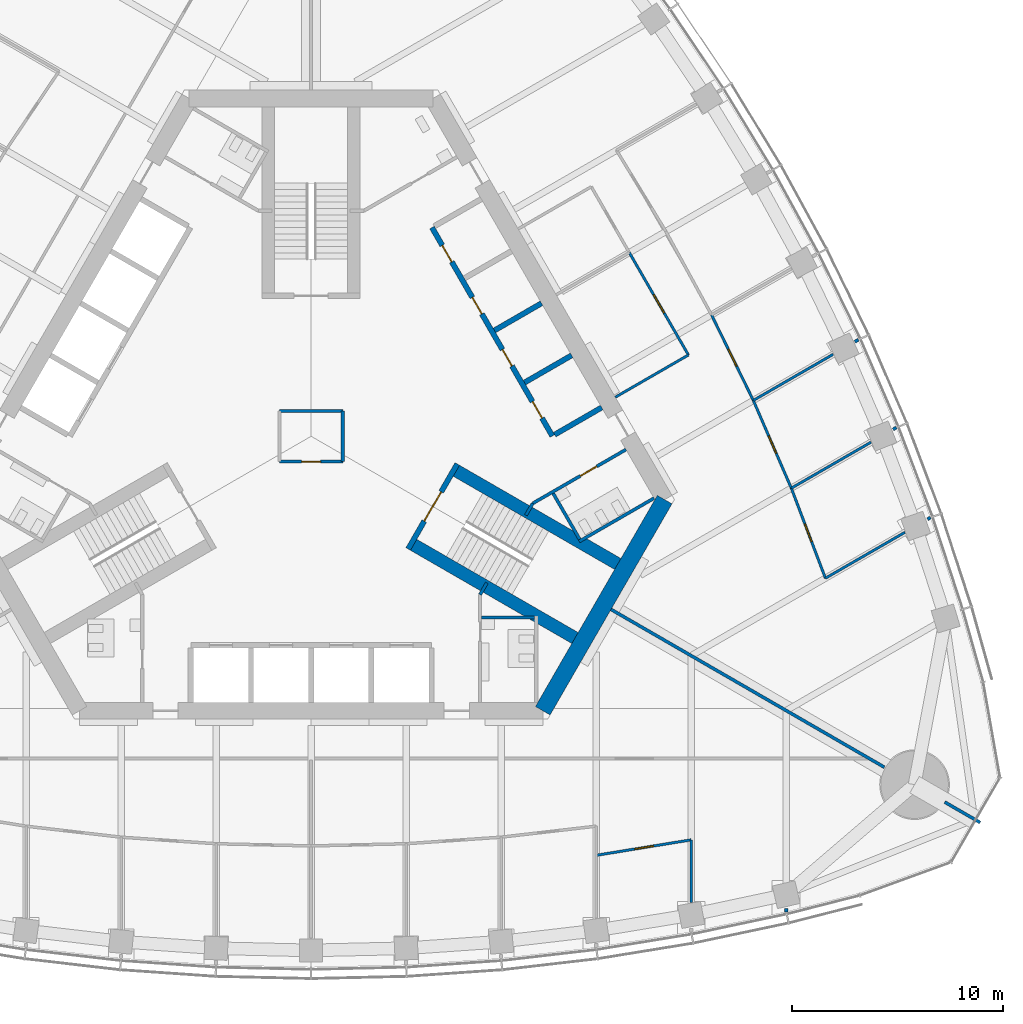
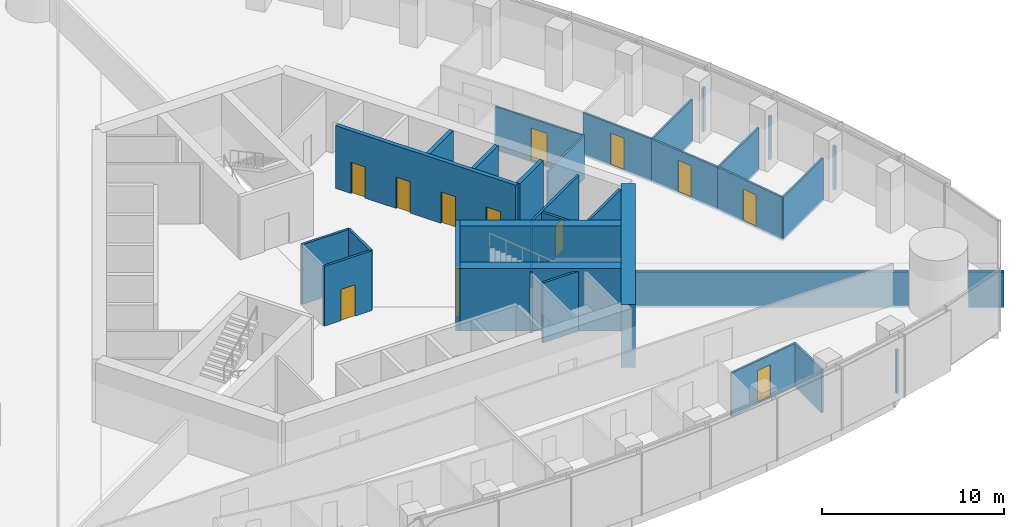
# One storey, part 13 of 20: 33 walls, 12 doors, 12 openings.
"""IFC4 building model written with IfcOpenShell, lengths in metres."""

from ifc_helpers import new_model, si_unit, direction, frame, frame_2d, origin, place, context, subcontext, project, spatial, rectangle, extrude, material, layer, layer_set, type_object, element, fill, save


model = new_model("IFC4")

# Units and contexts
model_context = context("Model", 3, precision=1e-05, world=origin(), true_north=direction((0.0, 1.0)))
body_context = subcontext(model_context, "Body", "Model", "MODEL_VIEW")
ifc_project = project(units=[si_unit("LENGTHUNIT", "METRE"), si_unit("AREAUNIT", "SQUARE_METRE"), si_unit("VOLUMEUNIT", "CUBIC_METRE"), si_unit("PLANEANGLEUNIT", "RADIAN"), si_unit("MASSUNIT", "GRAM", prefix="KILO")], contexts=[model_context])

# Site, building, storey
site_placement = place(None, origin())
site = spatial("IfcSite", under=ifc_project, at=site_placement, CompositionType="ELEMENT")
building_placement = place(site_placement, origin())
building = spatial("IfcBuilding", under=site, at=building_placement, Name="Trefoil Bronze Tower", CompositionType="ELEMENT")
storey_placement = place(building_placement, frame((0.0, 0.0, 214.89990234375)))
storey = spatial("IfcBuildingStorey", under=building, at=storey_placement, Name="L49", CompositionType="ELEMENT", Elevation=214.89990234375)

# Wall
ifc_material_1 = material(Name="Concrete B80", Category="concrete")
ifc_layer_1 = layer(ifc_material_1, 0.800048828125)
ifc_layer_set_1 = layer_set([ifc_layer_1], Name="Core wall 800")
wall_type_1 = type_object("IfcWallType", Name="Core wall 800", PredefinedType="SHEAR", material=ifc_layer_set_1)
wall_1_placement = place(storey_placement, frame((10.9697265625, -13.0, 0.0), z_axis=(0.0, 0.0, 1.0), x_axis=(0.499995765644, 0.866027848477, 0.0)))
element("IfcWall", 1, at=wall_1_placement, inside=storey, type_object=wall_type_1, Name="Core short wall 1 L49", PredefinedType="SHEAR", context=body_context, shape_type="SweptSolid", body=[
    extrude(rectangle(XDim=11.546875, YDim=0.800048828125, at=frame_2d((5.7734375, 0.0))), origin(), (0.0, 0.0, 1.0), 4.2001953125),
])

# Wall, opening, door
ifc_material_2 = material(Name="Glazed partition", Category="glass")
ifc_layer_2 = layer(ifc_material_2, 0.1201171875)
ifc_layer_set_2 = layer_set([ifc_layer_2], Name="Glazed partition 120")
wall_type_2 = type_object("IfcWallType", Name="Glazed partition 120", PredefinedType="PARTITIONING", material=ifc_layer_set_2)
wall_2_placement = place(storey_placement, frame((13.5, -19.84619140625, 0.0), z_axis=(0.0, 0.0, 1.0), x_axis=(0.986986525477, 0.160802980469, 0.0)))
wall_2 = element("IfcWall", 2, at=wall_2_placement, inside=storey, type_object=wall_type_2, Name="Partition F1 L49", PredefinedType="PARTITIONING", context=body_context, shape_type="SweptSolid", body=[
    extrude(rectangle(XDim=4.559326171875, YDim=0.1201171875, at=frame_2d((2.27978515625, 0.0))), origin(), (0.0, 0.0, 1.0), 2.900146484375),
])
opening_1_placement = place(wall_2_placement, frame((1.85009765625, 0.0, 0.14990234375)))
opening_1 = element("IfcOpeningElement", 3, at=opening_1_placement, cuts=wall_2, Name="Opening D8", PredefinedType="OPENING", context=body_context, shape_type="SweptSolid", body=[
    extrude(rectangle(XDim=0.89990234375, YDim=2.10009765625, at=frame_2d((0.449951171875, 1.050048828125))), frame((0.0, 0.070068359375, 0.0), z_axis=(0.0, -1.0, 0.0), x_axis=(1.0, 0.0, 0.0)), (0.0, 0.0, 1.0), 0.14013671875),
])
ifc_material_3 = material(Name="Timber door", Category="wood")
door_type_1 = type_object("IfcDoorType", Name="Office door 900", OperationType="SINGLE_SWING_LEFT", PredefinedType="DOOR", material=ifc_material_3)
door_1_placement = place(opening_1_placement, frame((0.89990234375, 0.0, 0.0), z_axis=(0.0, 0.0, 1.0), x_axis=(-1.0, 0.0, 0.0)))
door_1 = element("IfcDoor", 4, at=door_1_placement, inside=storey, type_object=door_type_1, Name="Pantry door F1 L49", OperationType="SINGLE_SWING_LEFT", OverallHeight=2.10009765625, OverallWidth=0.89990234375, PredefinedType="DOOR", context=body_context, shape_type="SweptSolid", body=[
    extrude(rectangle(XDim=0.89990234375, YDim=2.10009765625, at=frame_2d((0.449951171875, 1.050048828125))), frame((0.0, 0.02490234375, 0.0), z_axis=(0.0, -1.0, 0.0), x_axis=(1.0, 0.0, 0.0)), (0.0, 0.0, 1.0), 0.050048828125),
])
fill(opening_1, door_1)

# Wall
wall_3_placement = place(storey_placement, frame((18.0, -19.113037109375, 0.0), z_axis=(0.0, 0.0, 1.0), x_axis=(0.0, -1.0, 0.0)))
element("IfcWall", 5, at=wall_3_placement, inside=storey, type_object=wall_type_2, Name="Partition F1 L49", PredefinedType="PARTITIONING", context=body_context, shape_type="SweptSolid", body=[
    extrude(rectangle(XDim=2.966064453125, YDim=0.1201171875, at=frame_2d((1.48291015625, 0.0))), origin(), (0.0, 0.0, 1.0), 2.900146484375),
])

# Wall, opening, door
wall_4_placement = place(storey_placement, frame((17.868896484375, 3.850341796875, 0.0), z_axis=(0.0, 0.0, 1.0), x_axis=(-0.500016814911, 0.866015695474, 0.0)))
wall_4 = element("IfcWall", 6, at=wall_4_placement, inside=storey, type_object=wall_type_2, Name="Partition F2 L49", PredefinedType="PARTITIONING", context=body_context, shape_type="SweptSolid", body=[
    extrude(rectangle(XDim=5.599853515625, YDim=0.1201171875, at=frame_2d((2.7998046875, 0.0))), origin(), (0.0, 0.0, 1.0), 2.900146484375),
])
opening_2_placement = place(wall_4_placement, frame((2.300048828125, 0.0, 0.14990234375)))
opening_2 = element("IfcOpeningElement", 7, at=opening_2_placement, cuts=wall_4, Name="Opening D9", PredefinedType="OPENING", context=body_context, shape_type="SweptSolid", body=[
    extrude(rectangle(XDim=1.0, YDim=2.10009765625, at=frame_2d((0.5, 1.050048828125))), frame((0.0, 0.070068359375, 0.0), z_axis=(0.0, -1.0, 0.0), x_axis=(1.0, 0.0, 0.0)), (0.0, 0.0, 1.0), 0.14013671875),
])
ifc_material_4 = material(Name="Glazed timber door", Category="wood")
door_type_2 = type_object("IfcDoorType", Name="Meeting room door 1000", OperationType="SINGLE_SWING_LEFT", PredefinedType="DOOR", material=ifc_material_4)
door_2_placement = place(opening_2_placement, origin())
door_2 = element("IfcDoor", 8, at=door_2_placement, inside=storey, type_object=door_type_2, Name="Meeting room door F2 L49", OperationType="SINGLE_SWING_RIGHT", OverallHeight=2.10009765625, OverallWidth=1.0, PredefinedType="DOOR", context=body_context, shape_type="SweptSolid", body=[
    extrude(rectangle(XDim=1.0, YDim=2.10009765625, at=frame_2d((0.5, 1.050048828125))), frame((0.0, 0.02490234375, 0.0), z_axis=(0.0, -1.0, 0.0), x_axis=(1.0, 0.0, 0.0)), (0.0, 0.0, 1.0), 0.050048828125),
])
fill(opening_2, door_2)

# Wall
wall_5_placement = place(storey_placement, frame((14.40478515625, 1.850341796875, 0.0), z_axis=(0.0, 0.0, 1.0), x_axis=(0.866026010844, 0.49999894854, 0.0)))
element("IfcWall", 9, at=wall_5_placement, inside=storey, type_object=wall_type_2, Name="Partition F2 L49", PredefinedType="PARTITIONING", context=body_context, shape_type="SweptSolid", body=[
    extrude(rectangle(XDim=4.0, YDim=0.1201171875, at=frame_2d((2.0, 0.0))), origin(), (0.0, 0.0, 1.0), 2.900146484375),
])

# Wall, opening, door
wall_6_placement = place(storey_placement, frame((22.7421875, -2.458251953125, 0.0), z_axis=(0.0, 0.0, 1.0), x_axis=(-0.397253491631, 0.917708920839, 0.0)))
wall_6 = element("IfcWall", 10, at=wall_6_placement, inside=storey, type_object=wall_type_2, Name="Partition F2 L49", PredefinedType="PARTITIONING", context=body_context, shape_type="SweptSolid", body=[
    extrude(rectangle(XDim=4.530029296875, YDim=0.1201171875, at=frame_2d((2.26513671875, 0.0))), origin(), (0.0, 0.0, 1.0), 2.900146484375),
])
opening_3_placement = place(wall_6_placement, frame((1.800048828125, 0.0, 0.14990234375)))
opening_3 = element("IfcOpeningElement", 11, at=opening_3_placement, cuts=wall_6, Name="Opening D8", PredefinedType="OPENING", context=body_context, shape_type="SweptSolid", body=[
    extrude(rectangle(XDim=0.89990234375, YDim=2.10009765625, at=frame_2d((0.449951171875, 1.050048828125))), frame((0.0, 0.070068359375, 0.0), z_axis=(0.0, -1.0, 0.0), x_axis=(1.0, 0.0, 0.0)), (0.0, 0.0, 1.0), 0.14013671875),
])
door_3_placement = place(opening_3_placement, frame((0.89990234375, 0.0, 0.0), z_axis=(0.0, 0.0, 1.0), x_axis=(-1.0, 0.0, 0.0)))
door_3 = element("IfcDoor", 12, at=door_3_placement, inside=storey, type_object=door_type_1, Name="Office door F2 L49", OperationType="SINGLE_SWING_RIGHT", OverallHeight=2.10009765625, OverallWidth=0.89990234375, PredefinedType="DOOR", context=body_context, shape_type="SweptSolid", body=[
    extrude(rectangle(XDim=0.89990234375, YDim=2.10009765625, at=frame_2d((0.449951171875, 1.050048828125))), frame((0.0, 0.02490234375, 0.0), z_axis=(0.0, -1.0, 0.0), x_axis=(1.0, 0.0, 0.0)), (0.0, 0.0, 1.0), 0.050048828125),
])
fill(opening_3, door_3)

wall_7_placement = place(storey_placement, frame((24.357177734375, -6.721923828125, 0.0), z_axis=(0.0, 0.0, 1.0), x_axis=(-0.354219967303, 0.935162132875, 0.0)))
wall_7 = element("IfcWall", 13, at=wall_7_placement, inside=storey, type_object=wall_type_2, Name="Partition F2 L49", PredefinedType="PARTITIONING", context=body_context, shape_type="SweptSolid", body=[
    extrude(rectangle(XDim=4.559326171875, YDim=0.1201171875, at=frame_2d((2.27978515625, 0.0))), origin(), (0.0, 0.0, 1.0), 2.900146484375),
])
opening_4_placement = place(wall_7_placement, frame((1.85009765625, 0.0, 0.14990234375)))
opening_4 = element("IfcOpeningElement", 14, at=opening_4_placement, cuts=wall_7, Name="Opening D8", PredefinedType="OPENING", context=body_context, shape_type="SweptSolid", body=[
    extrude(rectangle(XDim=0.89990234375, YDim=2.10009765625, at=frame_2d((0.449951171875, 1.050048828125))), frame((0.0, 0.070068359375, 0.0), z_axis=(0.0, -1.0, 0.0), x_axis=(1.0, 0.0, 0.0)), (0.0, 0.0, 1.0), 0.14013671875),
])
door_4_placement = place(opening_4_placement, frame((0.89990234375, 0.0, 0.0), z_axis=(0.0, 0.0, 1.0), x_axis=(-1.0, 0.0, 0.0)))
door_4 = element("IfcDoor", 15, at=door_4_placement, inside=storey, type_object=door_type_1, Name="Office door F2 L49", OperationType="SINGLE_SWING_LEFT", OverallHeight=2.10009765625, OverallWidth=0.89990234375, PredefinedType="DOOR", context=body_context, shape_type="SweptSolid", body=[
    extrude(rectangle(XDim=0.89990234375, YDim=2.10009765625, at=frame_2d((0.449951171875, 1.050048828125))), frame((0.0, 0.02490234375, 0.0), z_axis=(0.0, -1.0, 0.0), x_axis=(1.0, 0.0, 0.0)), (0.0, 0.0, 1.0), 0.050048828125),
])
fill(opening_4, door_4)

wall_8_placement = place(storey_placement, frame((20.942626953125, 1.698974609375, 0.0), z_axis=(0.0, 0.0, 1.0), x_axis=(-0.43911984878, 0.898428493764, 0.0)))
wall_8 = element("IfcWall", 16, at=wall_8_placement, inside=storey, type_object=wall_type_2, Name="Partition F2 L49", PredefinedType="PARTITIONING", context=body_context, shape_type="SweptSolid", body=[
    extrude(rectangle(XDim=4.5107421875, YDim=0.1201171875, at=frame_2d((2.25537109375, 0.0))), origin(), (0.0, 0.0, 1.0), 2.900146484375),
])
opening_5_placement = place(wall_8_placement, frame((1.800048828125, 0.0, 0.14990234375)))
opening_5 = element("IfcOpeningElement", 17, at=opening_5_placement, cuts=wall_8, Name="Opening D8", PredefinedType="OPENING", context=body_context, shape_type="SweptSolid", body=[
    extrude(rectangle(XDim=0.89990234375, YDim=2.10009765625, at=frame_2d((0.449951171875, 1.050048828125))), frame((0.0, 0.070068359375, 0.0), z_axis=(0.0, -1.0, 0.0), x_axis=(1.0, 0.0, 0.0)), (0.0, 0.0, 1.0), 0.14013671875),
])
door_5_placement = place(opening_5_placement, frame((0.89990234375, 0.0, 0.0), z_axis=(0.0, 0.0, 1.0), x_axis=(-1.0, 0.0, 0.0)))
door_5 = element("IfcDoor", 18, at=door_5_placement, inside=storey, type_object=door_type_1, Name="Office door F2 L49", OperationType="SINGLE_SWING_RIGHT", OverallHeight=2.10009765625, OverallWidth=0.89990234375, PredefinedType="DOOR", context=body_context, shape_type="SweptSolid", body=[
    extrude(rectangle(XDim=0.89990234375, YDim=2.10009765625, at=frame_2d((0.449951171875, 1.050048828125))), frame((0.0, 0.02490234375, 0.0), z_axis=(0.0, -1.0, 0.0), x_axis=(1.0, 0.0, 0.0)), (0.0, 0.0, 1.0), 0.050048828125),
])
fill(opening_5, door_5)

# Walls
wall_9_placement = place(storey_placement, frame((22.7421875, -2.458251953125, 0.0), z_axis=(0.0, 0.0, 1.0), x_axis=(0.866034407719, 0.499984404404, 0.0)))
element("IfcWall", 19, at=wall_9_placement, inside=storey, type_object=wall_type_2, Name="Partition F2 L49", PredefinedType="PARTITIONING", context=body_context, shape_type="SweptSolid", body=[
    extrude(rectangle(XDim=4.356689453125, YDim=0.1201171875, at=frame_2d((2.17822265625, 0.0))), origin(), (0.0, 0.0, 1.0), 2.900146484375),
])
wall_10_placement = place(storey_placement, frame((24.357177734375, -6.721923828125, 0.0), z_axis=(0.0, 0.0, 1.0), x_axis=(0.866025625133, 0.499999616612, 0.0)))
element("IfcWall", 20, at=wall_10_placement, inside=storey, type_object=wall_type_2, Name="Partition F2 L49", PredefinedType="PARTITIONING", context=body_context, shape_type="SweptSolid", body=[
    extrude(rectangle(XDim=4.34619140625, YDim=0.1201171875, at=frame_2d((2.173095703125, 0.0))), origin(), (0.0, 0.0, 1.0), 2.900146484375),
])
wall_11_placement = place(storey_placement, frame((20.942626953125, 1.698974609375, 0.0), z_axis=(0.0, 0.0, 1.0), x_axis=(0.866024423162, 0.500001698484, 0.0)))
element("IfcWall", 21, at=wall_11_placement, inside=storey, type_object=wall_type_2, Name="Partition F2 L49", PredefinedType="PARTITIONING", context=body_context, shape_type="SweptSolid", body=[
    extrude(rectangle(XDim=4.3642578125, YDim=0.1201171875, at=frame_2d((2.18212890625, 0.0))), origin(), (0.0, 0.0, 1.0), 2.900146484375),
])

# Wall, opening, door
ifc_material_5 = material(Name="Gypsum board on steel studs", Category="steel")
ifc_layer_3 = layer(ifc_material_5, 0.14990234375)
ifc_layer_set_3 = layer_set([ifc_layer_3], Name="Partition 150")
wall_type_3 = type_object("IfcWallType", Name="Partition 150", PredefinedType="PARTITIONING", material=ifc_layer_set_3)
wall_12_placement = place(storey_placement, frame((10.4951171875, -3.17822265625, 0.0), z_axis=(0.0, 0.0, 1.0), x_axis=(0.86602216432, 0.500005610874, 0.0)))
wall_12 = element("IfcWall", 22, at=wall_12_placement, inside=storey, type_object=wall_type_3, Name="Passage wall F2- L49", PredefinedType="PARTITIONING", context=body_context, shape_type="SweptSolid", body=[
    extrude(rectangle(XDim=5.10009765625, YDim=0.14990234375, at=frame_2d((2.550048828125, 0.0))), origin(), (0.0, 0.0, 1.0), 4.0),
])
opening_6_placement = place(wall_12_placement, frame((2.60009765625, 0.0, 0.0)))
opening_6 = element("IfcOpeningElement", 23, at=opening_6_placement, cuts=wall_12, Name="Opening D3", PredefinedType="OPENING", context=body_context, shape_type="SweptSolid", body=[
    extrude(rectangle(XDim=0.89990234375, YDim=2.10009765625, at=frame_2d((0.449951171875, 1.050048828125))), frame((0.0, 0.0849609375, 0.0), z_axis=(0.0, -1.0, 0.0), x_axis=(1.0, 0.0, 0.0)), (0.0, 0.0, 1.0), 0.169921875),
])
ifc_material_6 = material(Name="Timber door", Category="wood")
door_type_3 = type_object("IfcDoorType", Name="WC door 900", OperationType="SINGLE_SWING_LEFT", PredefinedType="DOOR", material=ifc_material_6)
door_6_placement = place(opening_6_placement, frame((0.89990234375, 0.0, 0.0), z_axis=(0.0, 0.0, 1.0), x_axis=(-1.0, 0.0, 0.0)))
door_6 = element("IfcDoor", 24, at=door_6_placement, inside=storey, type_object=door_type_3, Name="WC (women) door L49", OperationType="SINGLE_SWING_RIGHT", OverallHeight=2.10009765625, OverallWidth=0.89990234375, PredefinedType="DOOR", context=body_context, shape_type="SweptSolid", body=[
    extrude(rectangle(XDim=0.89990234375, YDim=2.10009765625, at=frame_2d((0.449951171875, 1.050048828125))), frame((0.0, 0.02490234375, 0.0), z_axis=(0.0, -1.0, 0.0), x_axis=(1.0, 0.0, 0.0)), (0.0, 0.0, 1.0), 0.050048828125),
])
fill(opening_6, door_6)

# Walls
for number, where, z_axis, x_axis, name in (
    (25, (8.0, -7.5, 0.0), (0.0, 0.0, 1.0), (0.499842556608, 0.866116284689, 0.0), "WC wall ST1-1 L49"),
    (26, (10.4951171875, -3.17822265625, 0.0), (0.0, 0.0, 1.0), (-0.499842556608, -0.866116284689, 0.0), "WC wall ST1+1 L49"),
):
    element("IfcWall", number, at=place(storey_placement, frame(where, z_axis=z_axis, x_axis=x_axis)), inside=storey, type_object=wall_type_3, Name=name, PredefinedType="PARTITIONING", context=body_context, shape_type="SweptSolid", body=[
        extrude(rectangle(XDim=0.645263671875, YDim=0.14990234375, at=frame_2d((0.32275390625, 0.0))), origin(), (0.0, 0.0, 1.0), 4.0),
    ])
wall_13_placement = place(storey_placement, frame((8.074951171875, -8.574951171875, 0.0), z_axis=(0.0, 0.0, 1.0), x_axis=(1.0, 0.0, 0.0)))
element("IfcWall", 27, at=wall_13_placement, inside=storey, type_object=wall_type_3, Name="WC partition WC (men) L49", PredefinedType="PARTITIONING", context=body_context, shape_type="SweptSolid", body=[
    extrude(rectangle(XDim=2.510009765625, YDim=0.14990234375, at=frame_2d((1.2548828125, 0.0))), origin(), (0.0, 0.0, 1.0), 4.0),
])
wall_14_placement = place(storey_placement, frame((12.691162109375, -4.98193359375, 0.0), z_axis=(0.0, 0.0, 1.0), x_axis=(0.8660249478, 0.500000789788, 0.0)))
element("IfcWall", 28, at=wall_14_placement, inside=storey, type_object=wall_type_3, Name="WC partition WC (women) L49", PredefinedType="PARTITIONING", context=body_context, shape_type="SweptSolid", body=[
    extrude(rectangle(XDim=4.10009765625, YDim=0.14990234375, at=frame_2d((2.050048828125, 0.0))), origin(), (0.0, 0.0, 1.0), 4.0),
])
wall_15_placement = place(storey_placement, frame((11.463623046875, -2.70556640625, 0.0), z_axis=(0.0, 0.0, 1.0), x_axis=(0.50001992892, -0.866013897511, 0.0)))
element("IfcWall", 29, at=wall_15_placement, inside=storey, type_object=wall_type_3, Name="WC partition WC (women) L49", PredefinedType="PARTITIONING", context=body_context, shape_type="SweptSolid", body=[
    extrude(rectangle(XDim=2.51025390625, YDim=0.14990234375, at=frame_2d((1.255126953125, 0.0))), origin(), (0.0, 0.0, 1.0), 4.0),
])
wall_16_placement = place(storey_placement, frame((22.5, -22.375244140625, 0.0), z_axis=(0.0, 0.0, 1.0), x_axis=(0.0, -1.0, 0.0)))
element("IfcWall", 30, at=wall_16_placement, inside=storey, type_object=wall_type_3, Name="Partition F1 L49", PredefinedType="PARTITIONING", context=body_context, shape_type="SweptSolid", body=[
    extrude(rectangle(XDim=0.15185546875, YDim=0.14990234375, at=frame_2d((0.075927734375, 0.0))), origin(), (0.0, 0.0, 1.0), 2.900146484375),
])
wall_17_placement = place(storey_placement, frame((27.563232421875, 0.3251953125, 0.0), z_axis=(0.0, 0.0, 1.0), x_axis=(0.865614066289, 0.500711781609, 0.0)))
element("IfcWall", 31, at=wall_17_placement, inside=storey, type_object=wall_type_3, Name="Partition F2 L49", PredefinedType="PARTITIONING", context=body_context, shape_type="SweptSolid", body=[
    extrude(rectangle(XDim=0.177978515625, YDim=0.14990234375, at=frame_2d((0.0888671875, 0.0))), origin(), (0.0, 0.0, 1.0), 2.900146484375),
])
wall_18_placement = place(storey_placement, frame((29.19140625, -3.930908203125, 0.0), z_axis=(0.0, 0.0, 1.0), x_axis=(0.866484919499, 0.499203249469, 0.0)))
element("IfcWall", 32, at=wall_18_placement, inside=storey, type_object=wall_type_3, Name="Partition F2 L49", PredefinedType="PARTITIONING", context=body_context, shape_type="SweptSolid", body=[
    extrude(rectangle(XDim=0.162841796875, YDim=0.14990234375, at=frame_2d((0.08154296875, 0.0))), origin(), (0.0, 0.0, 1.0), 2.900146484375),
])
wall_19_placement = place(storey_placement, frame((25.748291015625, 4.473388671875, 0.0), z_axis=(0.0, 0.0, 1.0), x_axis=(0.865625187776, 0.500692554656, 0.0)))
element("IfcWall", 33, at=wall_19_placement, inside=storey, type_object=wall_type_3, Name="Partition F2 L49", PredefinedType="PARTITIONING", context=body_context, shape_type="SweptSolid", body=[
    extrude(rectangle(XDim=0.196044921875, YDim=0.14990234375, at=frame_2d((0.09814453125, 0.0))), origin(), (0.0, 0.0, 1.0), 2.900146484375),
])
ifc_material_7 = material(Name="Gypsum board on steel studs", Category="steel")
ifc_layer_4 = layer(ifc_material_7, 0.14990234375)
ifc_layer_set_4 = layer_set([ifc_layer_4], Name="Party wall 150")
wall_type_4 = type_object("IfcWallType", Name="Party wall 150", PredefinedType="PARTITIONING", material=ifc_layer_set_4)
wall_20_placement = place(storey_placement, frame((14.202880859375, -8.199951171875, 0.0), z_axis=(0.0, 0.0, 1.0), x_axis=(0.866021600284, -0.500006587798, 0.0)))
element("IfcWall", 34, at=wall_20_placement, inside=storey, type_object=wall_type_4, Name="Party wall K1 L49", PredefinedType="PARTITIONING", context=body_context, shape_type="SweptSolid", body=[
    extrude(rectangle(XDim=14.949951171875, YDim=0.14990234375, at=frame_2d((7.47509765625, 0.0))), origin(), (0.0, 0.0, 1.0), 2.400146484375),
])
wall_21_placement = place(storey_placement, frame((30.0078125, -17.324951171875, 0.0), z_axis=(0.0, 0.0, 1.0), x_axis=(0.866013246922, -0.500021055713, 0.0)))
element("IfcWall", 35, at=wall_21_placement, inside=storey, type_object=wall_type_4, Name="Party wall K1 L49", PredefinedType="PARTITIONING", context=body_context, shape_type="SweptSolid", body=[
    extrude(rectangle(XDim=1.9345703125, YDim=0.14990234375, at=frame_2d((0.96728515625, 0.0))), origin(), (0.0, 0.0, 1.0), 2.400146484375),
])

# Wall, opening, door
ifc_material_8 = material(Name="Gypsum board on steel studs", Category="steel")
ifc_layer_5 = layer(ifc_material_8, 0.14990234375)
ifc_layer_set_5 = layer_set([ifc_layer_5], Name="Riser wall 150")
wall_type_5 = type_object("IfcWallType", Name="Riser wall 150", PredefinedType="PARTITIONING", material=ifc_layer_set_5)
wall_22_placement = place(storey_placement, frame((-1.5, -1.199951171875, 0.0), z_axis=(0.0, 0.0, 1.0), x_axis=(1.0, 0.0, 0.0)))
wall_22 = element("IfcWall", 36, at=wall_22_placement, inside=storey, type_object=wall_type_5, Name="Riser wall L49", PredefinedType="PARTITIONING", context=body_context, shape_type="SweptSolid", body=[
    extrude(rectangle(XDim=3.0, YDim=0.14990234375, at=frame_2d((1.5, 0.0))), origin(), (0.0, 0.0, 1.0), 4.0),
])
opening_7_placement = place(wall_22_placement, frame((1.050048828125, 0.0, 0.0)))
opening_7 = element("IfcOpeningElement", 37, at=opening_7_placement, cuts=wall_22, Name="Opening D4", PredefinedType="OPENING", context=body_context, shape_type="SweptSolid", body=[
    extrude(rectangle(XDim=0.89990234375, YDim=2.10009765625, at=frame_2d((0.449951171875, 1.050048828125))), frame((0.0, 0.0849609375, 0.0), z_axis=(0.0, -1.0, 0.0), x_axis=(1.0, 0.0, 0.0)), (0.0, 0.0, 1.0), 0.169921875),
])
ifc_material_9 = material(Name="Steel door", Category="steel")
door_type_4 = type_object("IfcDoorType", Name="Riser door 900", OperationType="SINGLE_SWING_LEFT", PredefinedType="DOOR", material=ifc_material_9)
door_7_placement = place(opening_7_placement, frame((0.89990234375, 0.0, 0.0), z_axis=(0.0, 0.0, 1.0), x_axis=(-1.0, 0.0, 0.0)))
door_7 = element("IfcDoor", 38, at=door_7_placement, inside=storey, type_object=door_type_4, Name="Riser door L49", OperationType="SINGLE_SWING_LEFT", OverallHeight=2.10009765625, OverallWidth=0.89990234375, PredefinedType="DOOR", context=body_context, shape_type="SweptSolid", body=[
    extrude(rectangle(XDim=0.89990234375, YDim=2.10009765625, at=frame_2d((0.449951171875, 1.050048828125))), frame((0.0, 0.02490234375, 0.0), z_axis=(0.0, -1.0, 0.0), x_axis=(1.0, 0.0, 0.0)), (0.0, 0.0, 1.0), 0.050048828125),
])
fill(opening_7, door_7)

# Walls
wall_23_placement = place(storey_placement, frame((1.5, -1.199951171875, 0.0), z_axis=(0.0, 0.0, 1.0), x_axis=(0.0, 1.0, 0.0)))
element("IfcWall", 39, at=wall_23_placement, inside=storey, type_object=wall_type_5, Name="Riser wall L49", PredefinedType="PARTITIONING", context=body_context, shape_type="SweptSolid", body=[
    extrude(rectangle(XDim=2.39990234375, YDim=0.14990234375, at=frame_2d((1.199951171875, 0.0))), origin(), (0.0, 0.0, 1.0), 4.0),
])
wall_24_placement = place(storey_placement, frame((1.5, 1.199951171875, 0.0), z_axis=(0.0, 0.0, 1.0), x_axis=(-1.0, 0.0, 0.0)))
element("IfcWall", 40, at=wall_24_placement, inside=storey, type_object=wall_type_5, Name="Riser wall L49", PredefinedType="PARTITIONING", context=body_context, shape_type="SweptSolid", body=[
    extrude(rectangle(XDim=3.0, YDim=0.14990234375, at=frame_2d((1.5, 0.0))), origin(), (0.0, 0.0, 1.0), 4.0),
])

# Wall, openings, doors
ifc_material_10 = material(Name="Concrete B80", Category="concrete")
ifc_layer_6 = layer(ifc_material_10, 0.25)
ifc_layer_set_6 = layer_set([ifc_layer_6], Name="Shaft wall 250")
wall_type_6 = type_object("IfcWallType", Name="Shaft wall 250", PredefinedType="SHEAR", material=ifc_layer_set_6)
wall_25_placement = place(storey_placement, frame((11.423583984375, 0.013671875, 0.0), z_axis=(0.0, 0.0, 1.0), x_axis=(-0.500001763848, 0.866024385424, 0.0)))
wall_25 = element("IfcWall", 41, at=wall_25_placement, inside=storey, type_object=wall_type_6, Name="Lift shaft front wall B L49", PredefinedType="SHEAR", context=body_context, shape_type="SweptSolid", body=[
    extrude(rectangle(XDim=11.39990234375, YDim=0.25, at=frame_2d((5.699951171875, 0.0))), origin(), (0.0, 0.0, 1.0), 4.2001953125),
])
opening_8_placement = place(wall_25_placement, frame((0.97509765625, 0.0, 0.0)))
opening_8 = element("IfcOpeningElement", 42, at=opening_8_placement, cuts=wall_25, Name="Opening D12", PredefinedType="OPENING", context=body_context, shape_type="SweptSolid", body=[
    extrude(rectangle(XDim=0.89990234375, YDim=2.10009765625, at=frame_2d((0.449951171875, 1.050048828125))), frame((0.0, 0.135009765625, 0.0), z_axis=(0.0, -1.0, 0.0), x_axis=(1.0, 0.0, 0.0)), (0.0, 0.0, 1.0), 0.27001953125),
])
opening_9_placement = place(wall_25_placement, frame((3.824951171875, 0.0, 0.0)))
opening_9 = element("IfcOpeningElement", 43, at=opening_9_placement, cuts=wall_25, Name="Opening D12", PredefinedType="OPENING", context=body_context, shape_type="SweptSolid", body=[
    extrude(rectangle(XDim=0.89990234375, YDim=2.10009765625, at=frame_2d((0.449951171875, 1.050048828125))), frame((0.0, 0.135009765625, 0.0), z_axis=(0.0, -1.0, 0.0), x_axis=(1.0, 0.0, 0.0)), (0.0, 0.0, 1.0), 0.27001953125),
])
opening_10_placement = place(wall_25_placement, frame((6.675048828125, 0.0, 0.0)))
opening_10 = element("IfcOpeningElement", 44, at=opening_10_placement, cuts=wall_25, Name="Opening D12", PredefinedType="OPENING", context=body_context, shape_type="SweptSolid", body=[
    extrude(rectangle(XDim=0.89990234375, YDim=2.10009765625, at=frame_2d((0.449951171875, 1.050048828125))), frame((0.0, 0.135009765625, 0.0), z_axis=(0.0, -1.0, 0.0), x_axis=(1.0, 0.0, 0.0)), (0.0, 0.0, 1.0), 0.27001953125),
])
opening_11_placement = place(wall_25_placement, frame((9.52490234375, 0.0, 0.0)))
opening_11 = element("IfcOpeningElement", 45, at=opening_11_placement, cuts=wall_25, Name="Opening D12", PredefinedType="OPENING", context=body_context, shape_type="SweptSolid", body=[
    extrude(rectangle(XDim=0.89990234375, YDim=2.10009765625, at=frame_2d((0.449951171875, 1.050048828125))), frame((0.0, 0.135009765625, 0.0), z_axis=(0.0, -1.0, 0.0), x_axis=(1.0, 0.0, 0.0)), (0.0, 0.0, 1.0), 0.27001953125),
])
ifc_material_11 = material(Name="Steel door", Category="steel")
door_type_5 = type_object("IfcDoorType", Name="Shaft room door 900", OperationType="SINGLE_SWING_LEFT", PredefinedType="DOOR", material=ifc_material_11)
door_8_placement = place(opening_8_placement, frame((0.89990234375, 0.0, 0.0), z_axis=(0.0, 0.0, 1.0), x_axis=(-1.0, 0.0, 0.0)))
door_8 = element("IfcDoor", 46, at=door_8_placement, inside=storey, type_object=door_type_5, Name="Shaft room door B1 L49", OperationType="SINGLE_SWING_LEFT", OverallHeight=2.10009765625, OverallWidth=0.89990234375, PredefinedType="DOOR", context=body_context, shape_type="SweptSolid", body=[
    extrude(rectangle(XDim=0.89990234375, YDim=2.10009765625, at=frame_2d((0.449951171875, 1.050048828125))), frame((0.0, 0.02490234375, 0.0), z_axis=(0.0, -1.0, 0.0), x_axis=(1.0, 0.0, 0.0)), (0.0, 0.0, 1.0), 0.050048828125),
])
fill(opening_8, door_8)
door_9_placement = place(opening_9_placement, frame((0.89990234375, 0.0, 0.0), z_axis=(0.0, 0.0, 1.0), x_axis=(-1.0, 0.0, 0.0)))
door_9 = element("IfcDoor", 47, at=door_9_placement, inside=storey, type_object=door_type_5, Name="Shaft room door B2 L49", OperationType="SINGLE_SWING_RIGHT", OverallHeight=2.10009765625, OverallWidth=0.89990234375, PredefinedType="DOOR", context=body_context, shape_type="SweptSolid", body=[
    extrude(rectangle(XDim=0.89990234375, YDim=2.10009765625, at=frame_2d((0.449951171875, 1.050048828125))), frame((0.0, 0.02490234375, 0.0), z_axis=(0.0, -1.0, 0.0), x_axis=(1.0, 0.0, 0.0)), (0.0, 0.0, 1.0), 0.050048828125),
])
fill(opening_9, door_9)
door_10_placement = place(opening_10_placement, frame((0.89990234375, 0.0, 0.0), z_axis=(0.0, 0.0, 1.0), x_axis=(-1.0, 0.0, 0.0)))
door_10 = element("IfcDoor", 48, at=door_10_placement, inside=storey, type_object=door_type_5, Name="Shaft room door B3 L49", OperationType="SINGLE_SWING_RIGHT", OverallHeight=2.10009765625, OverallWidth=0.89990234375, PredefinedType="DOOR", context=body_context, shape_type="SweptSolid", body=[
    extrude(rectangle(XDim=0.89990234375, YDim=2.10009765625, at=frame_2d((0.449951171875, 1.050048828125))), frame((0.0, 0.02490234375, 0.0), z_axis=(0.0, -1.0, 0.0), x_axis=(1.0, 0.0, 0.0)), (0.0, 0.0, 1.0), 0.050048828125),
])
fill(opening_10, door_10)
door_11_placement = place(opening_11_placement, frame((0.89990234375, 0.0, 0.0), z_axis=(0.0, 0.0, 1.0), x_axis=(-1.0, 0.0, 0.0)))
door_11 = element("IfcDoor", 49, at=door_11_placement, inside=storey, type_object=door_type_5, Name="Shaft room door B4 L49", OperationType="SINGLE_SWING_RIGHT", OverallHeight=2.10009765625, OverallWidth=0.89990234375, PredefinedType="DOOR", context=body_context, shape_type="SweptSolid", body=[
    extrude(rectangle(XDim=0.89990234375, YDim=2.10009765625, at=frame_2d((0.449951171875, 1.050048828125))), frame((0.0, 0.02490234375, 0.0), z_axis=(0.0, -1.0, 0.0), x_axis=(1.0, 0.0, 0.0)), (0.0, 0.0, 1.0), 0.050048828125),
])
fill(opening_11, door_11)

# Walls
for number, where, z_axis, x_axis, name in (
    (50, (11.531982421875, 0.076171875, 0.0), (0.0, 0.0, 1.0), (0.866005588531, 0.500034319456, 0.0), "Lift shaft side wall B0 L49"),
    (51, (10.10693359375, 2.54443359375, 0.0), (0.0, 0.0, 1.0), (0.866046643894, 0.499963209246, 0.0), "Lift shaft side wall B1 L49"),
    (52, (8.681884765625, 5.012451171875, 0.0), (0.0, 0.0, 1.0), (0.866005588531, 0.500034319456, 0.0), "Lift shaft side wall B2 L49"),
):
    element("IfcWall", number, at=place(storey_placement, frame(where, z_axis=z_axis, x_axis=x_axis)), inside=storey, type_object=wall_type_6, Name=name, PredefinedType="SHEAR", context=body_context, shape_type="SweptSolid", body=[
        extrude(rectangle(XDim=2.574951171875, YDim=0.25, at=frame_2d((1.28759765625, 0.0))), origin(), (0.0, 0.0, 1.0), 4.2001953125),
    ])

# Wall, opening, door
wall_26_placement = place(storey_placement, frame((4.5966796875, -5.338623046875, 0.0), z_axis=(0.0, 0.0, 1.0), x_axis=(0.499984536904, 0.866034331223, 0.0)))
wall_26 = element("IfcWall", 53, at=wall_26_placement, inside=storey, type_object=wall_type_6, Name="Stair end wall ST1 L49", PredefinedType="SHEAR", context=body_context, shape_type="SweptSolid", body=[
    extrude(rectangle(XDim=4.650146484375, YDim=0.25, at=frame_2d((2.3251953125, 0.0))), origin(), (0.0, 0.0, 1.0), 4.2001953125),
])
opening_12_placement = place(wall_26_placement, frame((1.52490234375, 0.0, 0.0)))
opening_12 = element("IfcOpeningElement", 54, at=opening_12_placement, cuts=wall_26, Name="Opening D1", PredefinedType="OPENING", context=body_context, shape_type="SweptSolid", body=[
    extrude(rectangle(XDim=1.60009765625, YDim=2.10009765625, at=frame_2d((0.800048828125, 1.050048828125))), frame((0.0, 0.135009765625, 0.0), z_axis=(0.0, -1.0, 0.0), x_axis=(1.0, 0.0, 0.0)), (0.0, 0.0, 1.0), 0.27001953125),
])
ifc_material_12 = material(Name="Steel door", Category="steel")
door_type_6 = type_object("IfcDoorType", Name="Stair door 1600", OperationType="DOUBLE_DOOR_SINGLE_SWING", PredefinedType="DOOR", material=ifc_material_12)
door_12_placement = place(opening_12_placement, frame((1.60009765625, 0.0, 0.0), z_axis=(0.0, 0.0, 1.0), x_axis=(-1.0, 0.0, 0.0)))
door_12 = element("IfcDoor", 55, at=door_12_placement, inside=storey, type_object=door_type_6, Name="Stair door ST1 L49", OperationType="DOUBLE_DOOR_SINGLE_SWING", OverallHeight=2.10009765625, OverallWidth=1.60009765625, PredefinedType="DOOR", context=body_context, shape_type="SweptSolid", body=[
    extrude(rectangle(XDim=1.60009765625, YDim=2.10009765625, at=frame_2d((0.800048828125, 1.050048828125))), frame((0.0, 0.02490234375, 0.0), z_axis=(0.0, -1.0, 0.0), x_axis=(1.0, 0.0, 0.0)), (0.0, 0.0, 1.0), 0.050048828125),
])
fill(opening_12, door_12)

# Walls
ifc_material_13 = material(Name="Concrete B80", Category="concrete")
ifc_layer_7 = layer(ifc_material_13, 0.60009765625)
ifc_layer_set_7 = layer_set([ifc_layer_7], Name="Stair wall 600")
wall_type_7 = type_object("IfcWallType", Name="Stair wall 600", PredefinedType="SHEAR", material=ifc_layer_set_7)
for number, where, z_axis, x_axis, name in (
    (56, (4.638427734375, -5.01611328125, 0.0), (0.0, 0.0, 1.0), (0.866019375473, -0.500010441196, 0.0), "Stair wall ST1 L49"),
    (57, (6.663330078125, -1.5087890625, 0.0), (0.0, 0.0, 1.0), (0.866019375473, -0.500010441196, 0.0), "Stair wall ST1 L49"),
):
    element("IfcWall", number, at=place(storey_placement, frame(where, z_axis=z_axis, x_axis=x_axis)), inside=storey, type_object=wall_type_7, Name=name, PredefinedType="SHEAR", context=body_context, shape_type="SweptSolid", body=[
        extrude(rectangle(XDim=9.074951171875, YDim=0.60009765625, at=frame_2d((4.53759765625, 0.0))), origin(), (0.0, 0.0, 1.0), 4.2001953125),
    ])

save(model, "model.ifc")
